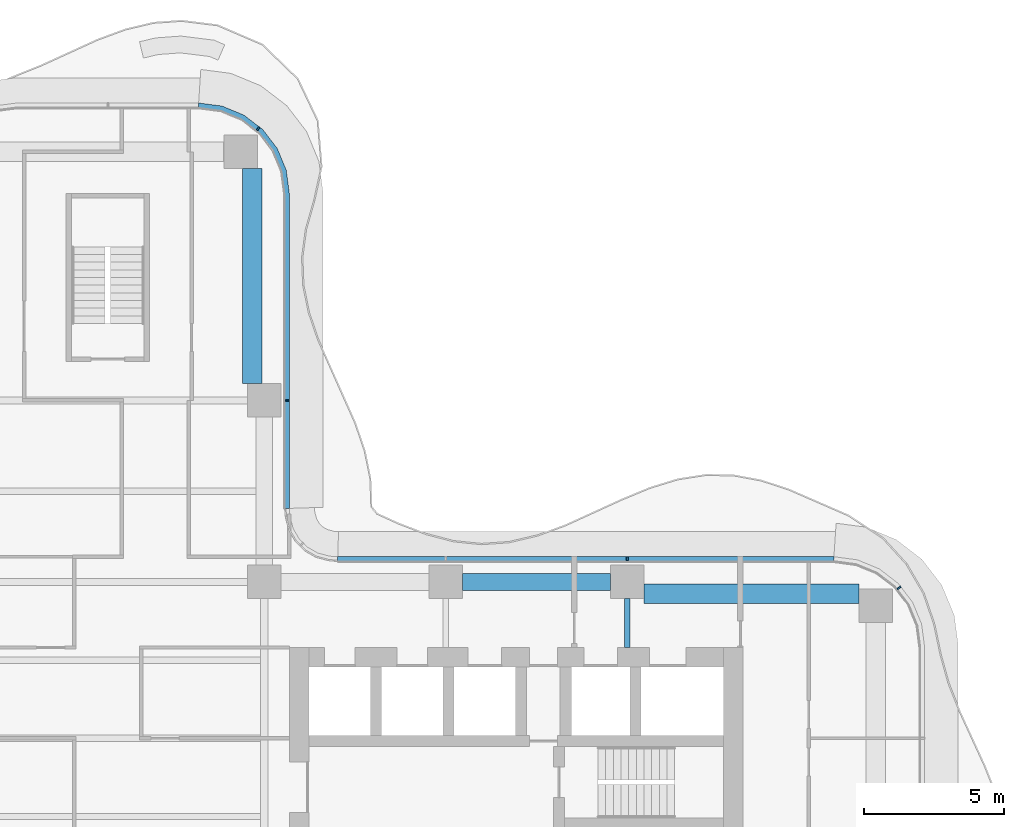
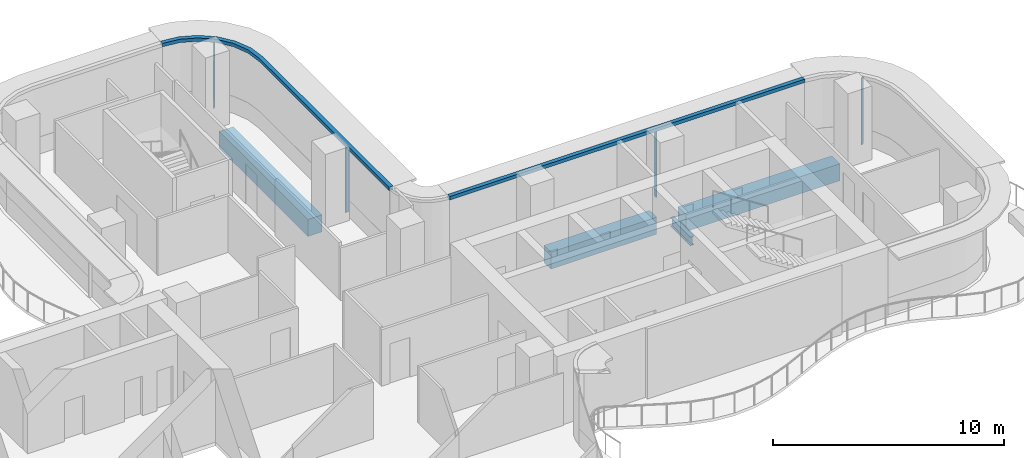
# One storey, part 9 of 18: 6 members, 4 beams, 3 elements without a shape of their own.
"""IFC4 building model written with IfcOpenShell, lengths in metres."""

from ifc_helpers import new_model, si_unit, direction, frame, origin, origin_2d, place, context, subcontext, project, spatial, polyline, rectangle, i_section, outline, extrude, source, transform, mapped, material, layer, layer_set, material_profile, profile_set, type_object, element, aggregate, save


model = new_model("IFC4")

# Units and contexts
model_context = context("Model", 3, precision=1e-05, world=origin(), true_north=direction((0.0, 1.0)))
body_context = subcontext(model_context, "Body", "Model", "MODEL_VIEW")
ifc_project = project(units=[si_unit("LENGTHUNIT", "METRE"), si_unit("AREAUNIT", "SQUARE_METRE"), si_unit("VOLUMEUNIT", "CUBIC_METRE"), si_unit("PLANEANGLEUNIT", "RADIAN"), si_unit("MASSUNIT", "GRAM", prefix="KILO")], contexts=[model_context])

# Site, building, storey
site_placement = place(None, origin())
site = spatial("IfcSite", under=ifc_project, at=site_placement, CompositionType="ELEMENT")
building_placement = place(site_placement, origin())
building = spatial("IfcBuilding", under=site, at=building_placement, Name="Trellis Farm Tower", CompositionType="ELEMENT")
storey_placement = place(building_placement, frame((0.0, 0.0, 193.199951171875)))
storey = spatial("IfcBuildingStorey", under=building, at=storey_placement, Name="L42", CompositionType="ELEMENT", Elevation=193.199951171875)

# Beams
ifc_material_1 = material(Name="Concrete C60/75", Category="concrete")
ifc_material_profile_1 = material_profile(ifc_material_1, rectangle(XDim=0.60009765625, YDim=0.89990234375, at=origin_2d()), Name="RC spandrel beam 600x900 C60/75")
ifc_profile_set_1 = profile_set([ifc_material_profile_1], Name="Concrete C60/75")
beam_type_1 = type_object("IfcBeamType", Name="RC spandrel beam 600x900 C60/75", PredefinedType="SPANDREL", material=ifc_profile_set_1)
shared_shape_1 = source(origin(), body_context, "Body", "SweptSolid", [
    extrude(rectangle(XDim=0.60009765625, YDim=0.89990234375, at=origin_2d()), origin(), (0.0, 0.0, 1.0), 5.300048828125),
])
beam_1_placement = place(storey_placement, frame((12.699951171875, 5.60009765625, -0.64990234375), z_axis=(1.0, 0.0, 0.0), x_axis=(0.0, 1.0, 0.0)))
element("IfcBeam", 1, at=beam_1_placement, inside=storey, type_object=beam_type_1, Name="Girder", PredefinedType="SPANDREL", context=body_context, shape_type="MappedRepresentation", body=[
    mapped(shared_shape_1, transform((0.0, 0.0, 0.0))),
])
ifc_material_2 = material(Name="Steel S355", Category="steel")
ifc_material_profile_2 = material_profile(ifc_material_2, i_section(OverallWidth=0.1904296875, OverallDepth=0.45703125, WebThickness=0.009033203125, FlangeThickness=0.014404296875, FilletRadius=0.01025390625, at=origin_2d()), Name="UB 457x191x74")
ifc_profile_set_2 = profile_set([ifc_material_profile_2], Name="Steel S355")
beam_type_2 = type_object("IfcBeamType", Name="UB 457x191x74", PredefinedType="BEAM", material=ifc_profile_set_2)
shared_shape_2 = source(origin(), body_context, "Body", "SweptSolid", [
    extrude(i_section(OverallWidth=0.1904296875, OverallDepth=0.45703125, WebThickness=0.009033203125, FlangeThickness=0.014404296875, FilletRadius=0.01025390625, at=origin_2d()), origin(), (0.0, 0.0, 1.0), 1.75),
])
beam_2_placement = place(storey_placement, frame((18.60009765625, 3.25, -0.428466796875), z_axis=(0.0, 1.0, 0.0), x_axis=(-1.0, 0.0, 0.0)))
element("IfcBeam", 2, at=beam_2_placement, inside=storey, type_object=beam_type_2, Name="Girder", PredefinedType="BEAM", context=body_context, shape_type="MappedRepresentation", body=[
    mapped(shared_shape_2, transform((0.0, 0.0, 0.0))),
])
ifc_material_profile_3 = material_profile(ifc_material_1, rectangle(XDim=0.699951171875, YDim=0.89990234375, at=origin_2d()), Name="RC spandrel beam 700x900 C60/75")
ifc_profile_set_3 = profile_set([ifc_material_profile_3], Name="Concrete C60/75")
beam_type_3 = type_object("IfcBeamType", Name="RC spandrel beam 700x900 C60/75", PredefinedType="SPANDREL", material=ifc_profile_set_3)
shared_shape_3 = source(origin(), body_context, "Body", "SweptSolid", [
    extrude(rectangle(XDim=0.699951171875, YDim=0.89990234375, at=origin_2d()), origin(), (0.0, 0.0, 1.0), 7.699951171875),
])
for number, where, z_axis, x_axis, name in (
    (3, (19.199951171875, 5.175048828125, -0.64990234375), (1.0, 0.0, 0.0), (0.0, 1.0, 0.0), "Girder"),
    (4, (5.175048828125, 12.699951171875, -0.64990234375), (0.0, 1.0, 0.0), (-1.0, 0.0, 0.0), "Girder"),
):
    element("IfcBeam", number, at=place(storey_placement, frame(where, z_axis=z_axis, x_axis=x_axis)), inside=storey, type_object=beam_type_3, Name=name, PredefinedType="SPANDREL", context=body_context, shape_type="MappedRepresentation", body=[
        mapped(shared_shape_3, transform((0.0, 0.0, 0.0))),
    ])

# Curtain wall, member
ifc_material_3 = material(Name="Aluminium and glass curtain wall", Category="aluminium")
ifc_layer_1 = layer(ifc_material_3, 0.18994140625)
ifc_layer_set_1 = layer_set([ifc_layer_1], Name="RIBBON CURTAIN WALL CW1")
curtain_wall_type = type_object("IfcCurtainWallType", Name="RIBBON CURTAIN WALL CW1", PredefinedType="NOTDEFINED", material=ifc_layer_set_1)
placement_1 = place(storey_placement, origin())
curtain_wall_1 = element("IfcCurtainWall", 5, at=placement_1, inside=storey, type_object=curtain_wall_type, Name="CW1 008", PredefinedType="NOTDEFINED")
ifc_material_4 = material(Name="Aluminium extrusion 6063-T6", Category="aluminium")
ifc_layer_2 = layer(ifc_material_4, 0.199951171875)
ifc_layer_set_2 = layer_set([ifc_layer_2], Name="Aluminium extrusion 6063-T6")
member_type_1 = type_object("IfcMemberType", Name="CW1 TRANSOM 200x180", PredefinedType="USERDEFINED", material=ifc_layer_set_2)
shared_shape_4 = source(origin(), body_context, "Body", "SweptSolid", [
    extrude(outline(polyline([(26.0, 6.5), (8.2314453125, 6.5), (8.224853515625, 6.300048828125), (25.98681640625, 6.300048828125), (26.0, 6.5)])), origin(), (0.0, 0.0, 1.0), 0.179931640625),
])
placement_2 = place(storey_placement, frame((0.0, 0.0, 3.52001953125)))
member_1 = element("IfcMember", 6, at=placement_2, type_object=member_type_1, Name="TR1 008", ObjectType="TRANSOM", PredefinedType="USERDEFINED", context=body_context, shape_type="MappedRepresentation", body=[
    mapped(shared_shape_4, transform((0.0, 0.0, 0.0))),
])

curtain_wall_2 = element("IfcCurtainWall", 7, at=placement_1, inside=storey, type_object=curtain_wall_type, Name="CW1 007", PredefinedType="NOTDEFINED")
ifc_material_profile_4 = material_profile(ifc_material_4, rectangle(XDim=0.06005859375, YDim=0.14990234375, at=origin_2d()), Name="MULLION 60x150")
ifc_profile_set_4 = profile_set([ifc_material_profile_4], Name="Aluminium extrusion 6063-T6")
member_type_2 = type_object("IfcMemberType", Name="CW1 MULLION 60x150", PredefinedType="MULLION", material=ifc_profile_set_4)
shared_shape_5 = source(origin(), body_context, "Body", "SweptSolid", [
    extrude(rectangle(XDim=0.06005859375, YDim=0.14990234375, at=origin_2d()), origin(), (0.0, 0.0, 1.0), 3.52001953125),
])
member_2_placement = place(storey_placement, frame((28.328369140625, 5.385498046875, 0.0), z_axis=(0.0, 0.0, 1.0), x_axis=(-0.608761429009, 0.793353340291, 0.0)))
member_2 = element("IfcMember", 8, at=member_2_placement, type_object=member_type_2, Name="MU1 007-02", PredefinedType="MULLION", context=body_context, shape_type="MappedRepresentation", body=[
    mapped(shared_shape_5, transform((0.0, 0.0, 0.0))),
])
aggregate(curtain_wall_2, [member_2])

# Member
member_3_placement = place(storey_placement, frame((18.60009765625, 6.425048828125, 0.0), z_axis=(0.0, 0.0, 1.0), x_axis=(-1.0, 0.0, 0.0)))
member_3 = element("IfcMember", 9, at=member_3_placement, type_object=member_type_2, Name="MU1 008-01", PredefinedType="MULLION", context=body_context, shape_type="MappedRepresentation", body=[
    mapped(shared_shape_5, transform((0.0, 0.0, 0.0))),
])

aggregate(curtain_wall_1, [member_3, member_1])

# Curtain wall, members
curtain_wall_3 = element("IfcCurtainWall", 10, at=placement_1, inside=storey, type_object=curtain_wall_type, Name="CW1 009", PredefinedType="NOTDEFINED")
member_4_placement = place(storey_placement, frame((6.425048828125, 12.10009765625, 0.0), z_axis=(0.0, 0.0, 1.0), x_axis=(0.0, 1.0, 0.0)))
member_4 = element("IfcMember", 11, at=member_4_placement, type_object=member_type_2, Name="MU1 009-01", PredefinedType="MULLION", context=body_context, shape_type="MappedRepresentation", body=[
    mapped(shared_shape_5, transform((0.0, 0.0, 0.0))),
])
member_5_placement = place(storey_placement, frame((5.385498046875, 21.828369140625, 0.0), z_axis=(0.0, 0.0, 1.0), x_axis=(-0.793353340291, 0.608761429009, 0.0)))
member_5 = element("IfcMember", 12, at=member_5_placement, type_object=member_type_2, Name="MU1 009-02", PredefinedType="MULLION", context=body_context, shape_type="MappedRepresentation", body=[
    mapped(shared_shape_5, transform((0.0, 0.0, 0.0))),
])
shared_shape_6 = source(origin(), body_context, "Body", "SweptSolid", [
    extrude(outline(polyline([(6.5, 8.2314453125), (6.5, 19.5), (6.38916015625, 20.341064453125), (6.064697265625, 21.125), (5.548095703125, 21.798095703125), (4.875, 22.314697265625), (4.091064453125, 22.63916015625), (3.25, 22.75), (3.23681640625, 22.550048828125), (4.0390625, 22.4443359375), (4.774169921875, 22.139892578125), (5.405517578125, 21.655517578125), (5.889892578125, 21.024169921875), (6.1943359375, 20.2890625), (6.300048828125, 19.48681640625), (6.300048828125, 8.224853515625), (6.5, 8.2314453125)])), origin(), (0.0, 0.0, 1.0), 0.179931640625),
])
member_6 = element("IfcMember", 13, at=placement_2, type_object=member_type_1, Name="TR1 009", ObjectType="TRANSOM", PredefinedType="USERDEFINED", context=body_context, shape_type="MappedRepresentation", body=[
    mapped(shared_shape_6, transform((0.0, 0.0, 0.0))),
])
aggregate(curtain_wall_3, [member_4, member_5, member_6])

save(model, "model.ifc")
